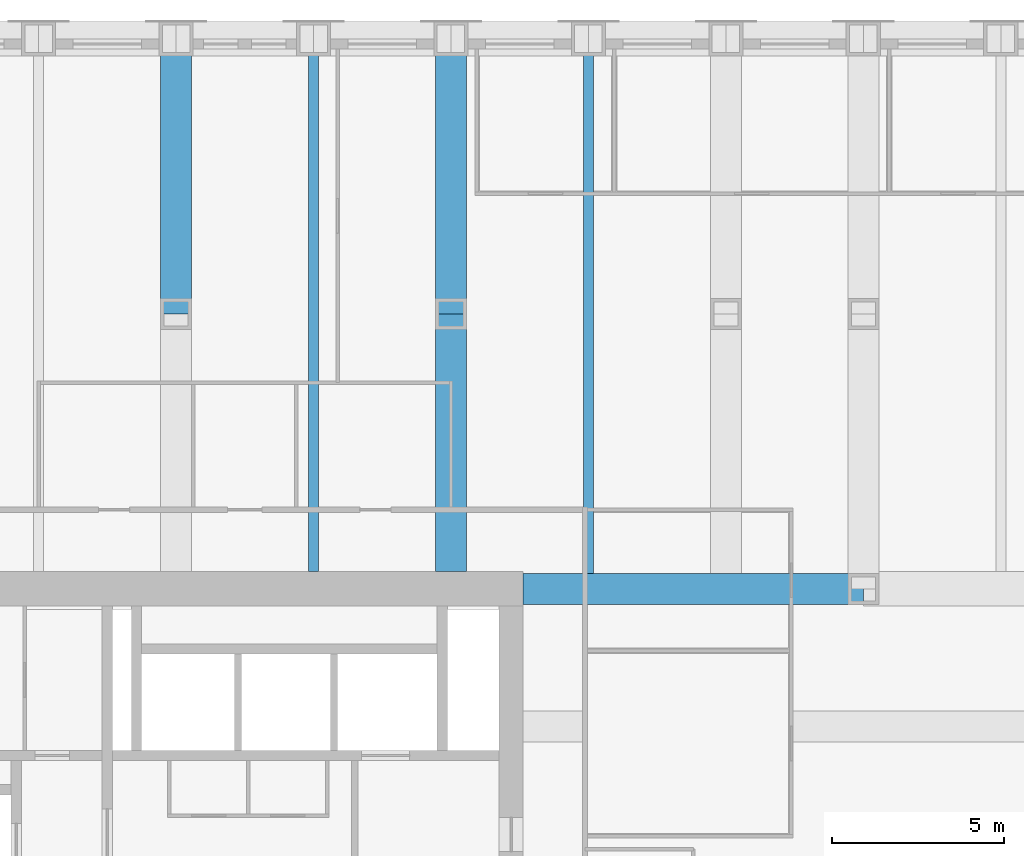
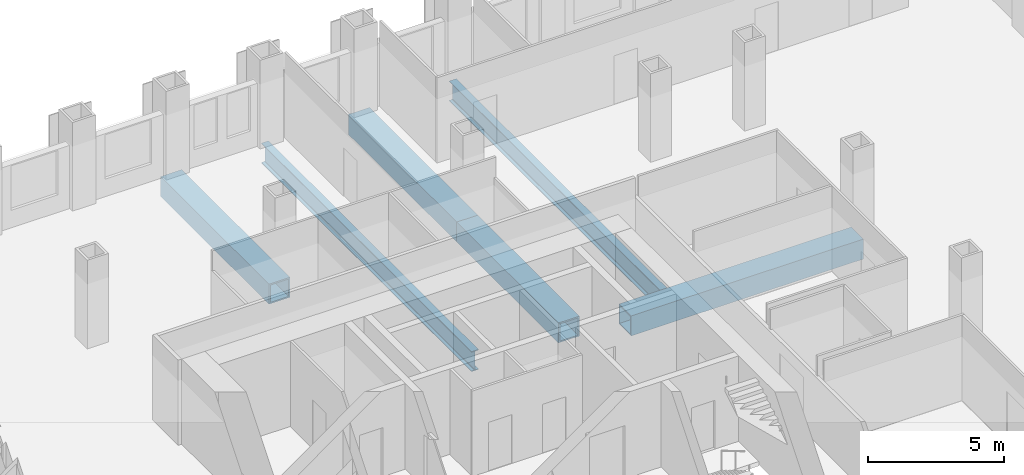
# One storey, part 7 of 15: 6 beams.
"""IFC4 building model written with IfcOpenShell, lengths in metres."""

from ifc_helpers import new_model, si_unit, direction, frame, origin, origin_2d, place, context, subcontext, project, spatial, hollow_rectangle, i_section, extrude, material, material_profile, profile_set, type_object, element, save


model = new_model("IFC4")

# Units and contexts
model_context = context("Model", 3, precision=1e-05, world=origin(), true_north=direction((0.0, 1.0)))
body_context = subcontext(model_context, "Body", "Model", "MODEL_VIEW")
ifc_project = project(units=[si_unit("LENGTHUNIT", "METRE"), si_unit("AREAUNIT", "SQUARE_METRE"), si_unit("VOLUMEUNIT", "CUBIC_METRE"), si_unit("PLANEANGLEUNIT", "RADIAN"), si_unit("MASSUNIT", "GRAM", prefix="KILO")], contexts=[model_context])

# Site, building, storey
site_placement = place(None, origin())
site = spatial("IfcSite", under=ifc_project, at=site_placement, CompositionType="ELEMENT")
building_placement = place(site_placement, origin())
building = spatial("IfcBuilding", under=site, at=building_placement, Name="Rimbunsela Tower", CompositionType="ELEMENT")
storey_placement = place(building_placement, frame((0.0, 0.0, 113.39990234375)))
storey = spatial("IfcBuildingStorey", under=building, at=storey_placement, Name="L27", CompositionType="ELEMENT", Elevation=113.39990234375)

# Beams
ifc_material_1 = material(Name="Steel BJ 55 (fy 410 MPa)", Category="steel")
ifc_material_profile_1 = material_profile(ifc_material_1, hollow_rectangle(XDim=0.89990234375, YDim=0.89990234375, WallThickness=0.06005859375, at=origin_2d()), Name="BOX 900x900x60")
ifc_profile_set_1 = profile_set([ifc_material_profile_1], Name="Steel BJ 55 (fy 410 MPa)")
beam_type_1 = type_object("IfcBeamType", Name="Beam BOX 900x900x60", PredefinedType="BEAM", material=ifc_profile_set_1)
beam_1_placement = place(storey_placement, frame((26.0, 44.0, -0.599853515625), z_axis=(0.0, 1.0, 0.0), x_axis=(-1.0, 0.0, 0.0)))
element("IfcBeam", 1, at=beam_1_placement, inside=storey, type_object=beam_type_1, Name="Beam B1 L27", PredefinedType="BEAM", context=body_context, shape_type="SweptSolid", body=[
    extrude(hollow_rectangle(XDim=0.89990234375, YDim=0.89990234375, WallThickness=0.06005859375, at=origin_2d()), origin(), (0.0, 0.0, 1.0), 8.0),
])
beam_2_placement = place(storey_placement, frame((34.0, 36.5, -0.599853515625), z_axis=(0.0, 1.0, 0.0), x_axis=(-1.0, 0.0, 0.0)))
element("IfcBeam", 2, at=beam_2_placement, inside=storey, type_object=beam_type_1, Name="Beam B1 L27", PredefinedType="BEAM", context=body_context, shape_type="SweptSolid", body=[
    extrude(hollow_rectangle(XDim=0.89990234375, YDim=0.89990234375, WallThickness=0.06005859375, at=origin_2d()), origin(), (0.0, 0.0, 1.0), 7.5),
])
beam_3_placement = place(storey_placement, frame((34.0, 44.0, -0.599853515625), z_axis=(0.0, 1.0, 0.0), x_axis=(-1.0, 0.0, 0.0)))
element("IfcBeam", 3, at=beam_3_placement, inside=storey, type_object=beam_type_1, Name="Beam B1 L27", PredefinedType="BEAM", context=body_context, shape_type="SweptSolid", body=[
    extrude(hollow_rectangle(XDim=0.89990234375, YDim=0.89990234375, WallThickness=0.06005859375, at=origin_2d()), origin(), (0.0, 0.0, 1.0), 8.0),
])
beam_4_placement = place(storey_placement, frame((36.10009765625, 36.0, -0.599853515625), z_axis=(1.0, 0.0, 0.0), x_axis=(0.0, 1.0, 0.0)))
element("IfcBeam", 4, at=beam_4_placement, inside=storey, type_object=beam_type_1, Name="Beam B1 L27", PredefinedType="BEAM", context=body_context, shape_type="SweptSolid", body=[
    extrude(hollow_rectangle(XDim=0.89990234375, YDim=0.89990234375, WallThickness=0.06005859375, at=origin_2d()), origin(), (0.0, 0.0, 1.0), 9.89990234375),
])
ifc_material_2 = material(Name="Steel BJ 55 (fy 410 MPa)", Category="steel")
ifc_material_profile_2 = material_profile(ifc_material_2, i_section(OverallWidth=0.300048828125, OverallDepth=0.89990234375, WebThickness=0.01611328125, FlangeThickness=0.028076171875, FilletRadius=0.028076171875, at=origin_2d()), Name="H 900x300x16x28")
ifc_profile_set_2 = profile_set([ifc_material_profile_2], Name="Steel BJ 55 (fy 410 MPa)")
beam_type_2 = type_object("IfcBeamType", Name="Beam H 900x300x16x28", PredefinedType="BEAM", material=ifc_profile_set_2)
beam_5_placement = place(storey_placement, frame((30.0, 36.5, -0.599853515625), z_axis=(0.0, 1.0, 0.0), x_axis=(-1.0, 0.0, 0.0)))
element("IfcBeam", 5, at=beam_5_placement, inside=storey, type_object=beam_type_2, Name="Beam B2 L27", PredefinedType="BEAM", context=body_context, shape_type="SweptSolid", body=[
    extrude(i_section(OverallWidth=0.300048828125, OverallDepth=0.89990234375, WebThickness=0.01611328125, FlangeThickness=0.028076171875, FilletRadius=0.028076171875, at=origin_2d()), origin(), (0.0, 0.0, 1.0), 15.5),
])
beam_6_placement = place(storey_placement, frame((38.0, 36.449951171875, -0.599853515625), z_axis=(0.0, 1.0, 0.0), x_axis=(-1.0, 0.0, 0.0)))
element("IfcBeam", 6, at=beam_6_placement, inside=storey, type_object=beam_type_2, Name="Beam B2 L27", PredefinedType="BEAM", context=body_context, shape_type="SweptSolid", body=[
    extrude(i_section(OverallWidth=0.300048828125, OverallDepth=0.89990234375, WebThickness=0.01611328125, FlangeThickness=0.028076171875, FilletRadius=0.028076171875, at=origin_2d()), origin(), (0.0, 0.0, 1.0), 15.550048828125),
])

save(model, "model.ifc")
